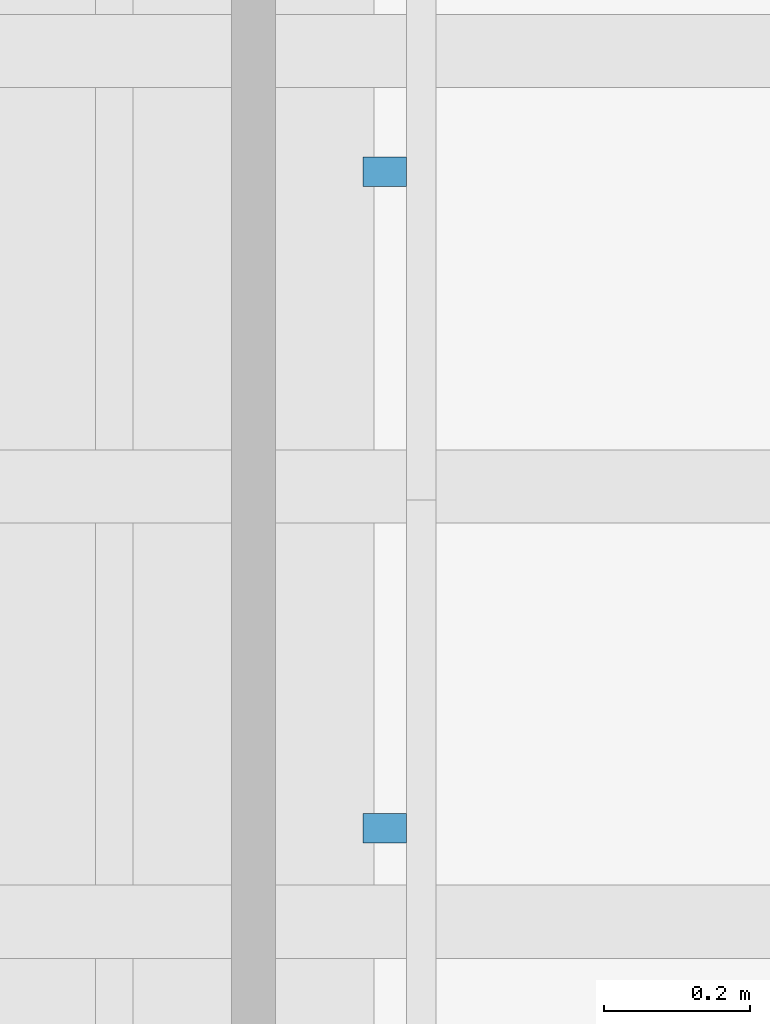
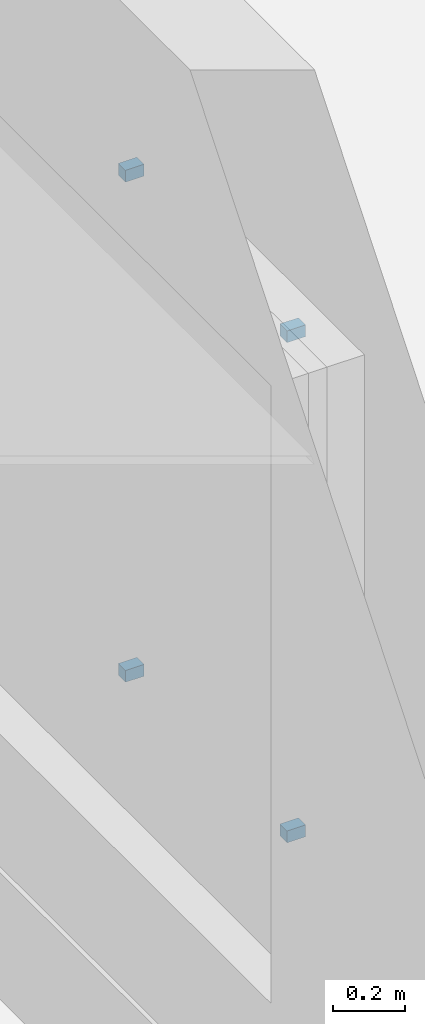
# One storey, part 54 of 84: 4 discrete accessories.
"""IFC4 building model written with IfcOpenShell, lengths in metres."""

from ifc_helpers import new_model, si_unit, direction, frame, origin, origin_2d, place, context, subcontext, project, spatial, rectangle, extrude, material, type_object, element, save


model = new_model("IFC4")

# Units and contexts
model_context = context("Model", 3, precision=1e-05, world=origin(), true_north=direction((0.0, 1.0)))
body_context = subcontext(model_context, "Body", "Model", "MODEL_VIEW")
ifc_project = project(units=[si_unit("LENGTHUNIT", "METRE"), si_unit("AREAUNIT", "SQUARE_METRE"), si_unit("VOLUMEUNIT", "CUBIC_METRE"), si_unit("PLANEANGLEUNIT", "RADIAN"), si_unit("MASSUNIT", "GRAM", prefix="KILO")], contexts=[model_context])

# Site, building, storey
site_placement = place(None, origin())
site = spatial("IfcSite", under=ifc_project, at=site_placement, CompositionType="ELEMENT")
building_placement = place(site_placement, origin())
building = spatial("IfcBuilding", under=site, at=building_placement, Name="Mazhai Court Health Centre", CompositionType="ELEMENT")
storey_placement = place(building_placement, origin())
storey = spatial("IfcBuildingStorey", under=building, at=storey_placement, Name="L00", CompositionType="ELEMENT", Elevation=0.0)

# Discrete accessories
ifc_material = material(Name="Steel IS 2062 E250", Category="steel")
discrete_accessory_type = type_object("IfcDiscreteAccessoryType", Name="BRACKET 40", PredefinedType="BRACKET", material=ifc_material)
for number, where, z_axis, x_axis, name in (
    (1, (114.3798828125, 52.550048828125, 1.080078125), (0.0, 0.0, 1.0), (0.0, 1.0, 0.0), "BR-V3-E0a0"),
    (2, (114.3798828125, 52.550048828125, 2.780029296875), (0.0, 0.0, 1.0), (0.0, 1.0, 0.0), "BR-V3-E0a1"),
    (3, (114.3798828125, 53.449951171875, 1.080078125), (0.0, 0.0, 1.0), (0.0, 1.0, 0.0), "BR-V3-E0b0"),
    (4, (114.3798828125, 53.449951171875, 2.780029296875), (0.0, 0.0, 1.0), (0.0, 1.0, 0.0), "BR-V3-E0b1"),
):
    element("IfcDiscreteAccessory", number, at=place(storey_placement, frame(where, z_axis=z_axis, x_axis=x_axis)), inside=storey, type_object=discrete_accessory_type, Name=name, PredefinedType="BRACKET", context=body_context, shape_type="SweptSolid", body=[
        extrude(rectangle(XDim=0.0400390625, YDim=0.06005859375, at=origin_2d()), origin(), (0.0, 0.0, 1.0), 0.0400390625),
    ])

save(model, "model.ifc")
